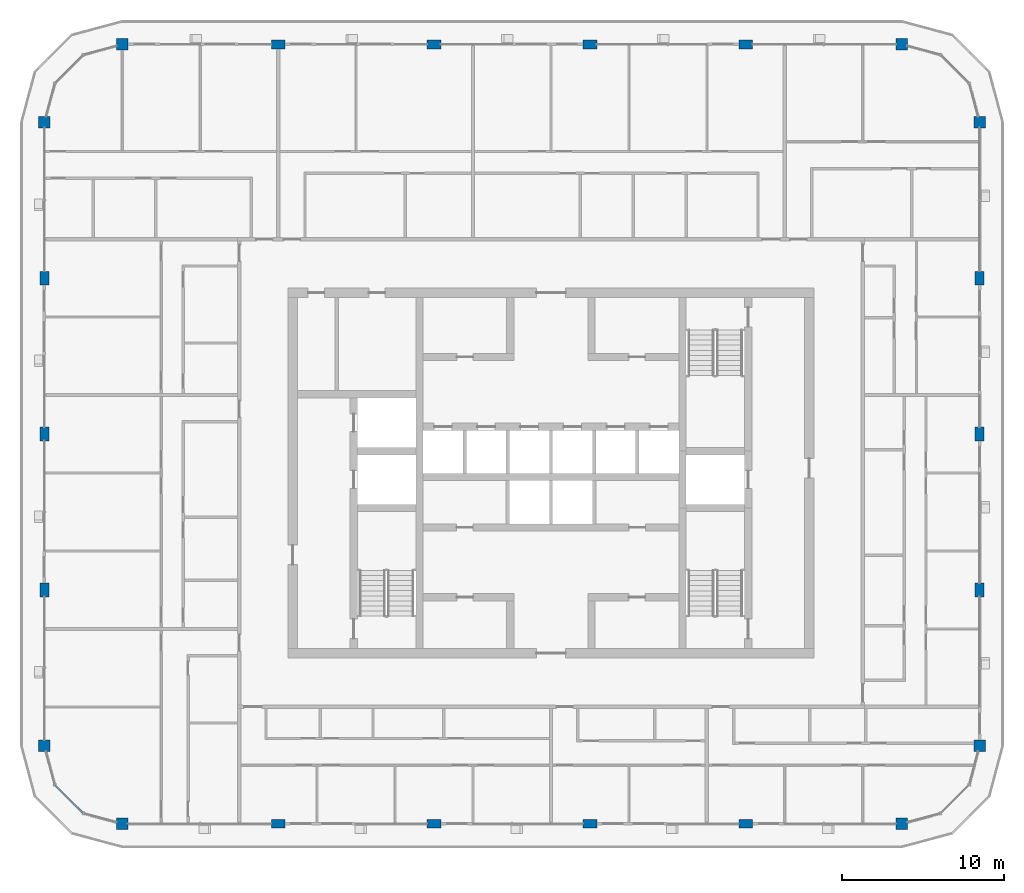
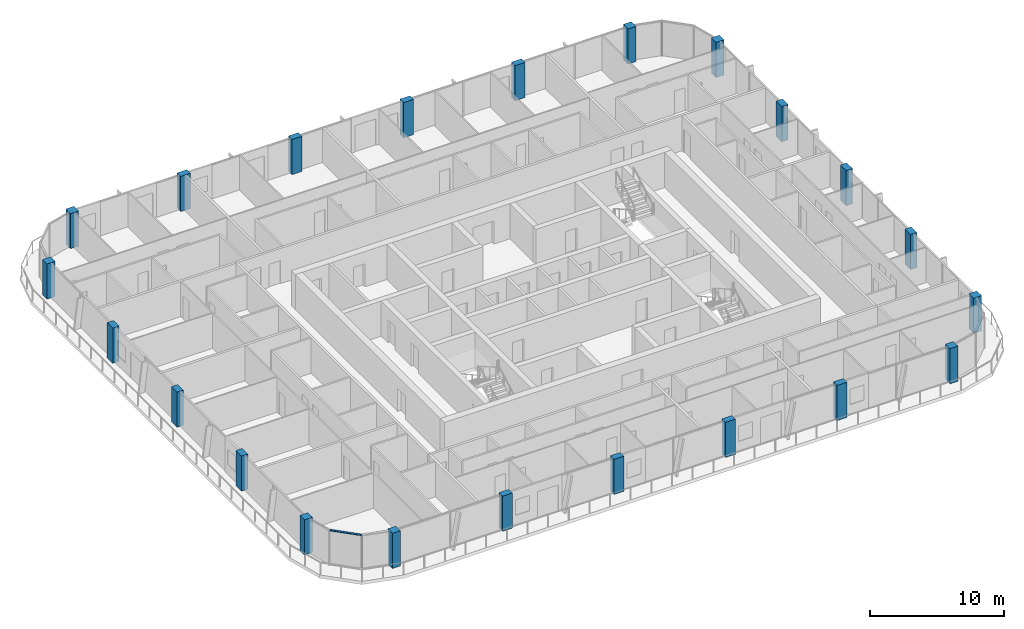
# One storey, part 1 of 21: 22 columns, 1 member, 1 element without a shape of its own.
"""IFC4 building model written with IfcOpenShell, lengths in metres."""

import ifcopenshell
import ifcopenshell.guid

model = None  # the IFC model being written
_history = None  # IfcOwnerHistory: only IFC2X3 demands one
_inside = {}  # id of a spatial element -> (the spatial element, [elements in it])
_under = {}  # id of a project, library or spatial element -> (it, [spatial elements below it])
_declared = {}  # id of a project -> (the project, [libraries it declares])
_typed = {}  # id of a type object -> (the type object, [elements of that type])
_made_of = {}  # id of a material, layer set ... -> (it, [elements and type objects made of it])


def new_model(schema):
    """Start an empty IFC model of exactly this schema.

    Asked for "IFC4X3", IfcOpenShell would pick the latest addendum, in which some entities
    have other attributes; the version numbers below select the first issue.
    IFC2X3 requires an IfcOwnerHistory on every rooted entity: one is made here for all.
    """
    global model, _history
    if schema == "IFC4X3":
        model = ifcopenshell.file(schema_version=(4, 3, 0, 0))
    else:
        model = ifcopenshell.file(schema=schema)
    _inside.clear()
    _under.clear()
    _declared.clear()
    _typed.clear()
    _made_of.clear()
    _history = None
    if model.schema == "IFC2X3":
        org = make("IfcOrganization", Name="unknown")
        user = make(
            "IfcPersonAndOrganization",
            ThePerson=make("IfcPerson", FamilyName="unknown"),
            TheOrganization=org,
        )
        app = make(
            "IfcApplication",
            ApplicationDeveloper=org,
            Version="unknown",
            ApplicationFullName="unknown",
            ApplicationIdentifier="unknown",
        )
        _history = make(
            "IfcOwnerHistory",
            OwningUser=user,
            OwningApplication=app,
            ChangeAction="ADDED",
            CreationDate=0,
        )
    return model


def make(cls, **values):
    """One entity of the class cls with the attributes given. An attribute that is None is left unset."""
    return model.create_entity(
        cls, **{name: value for name, value in values.items() if value is not None}
    )


def rooted(cls, **values):
    """An entity with a GlobalId (a new one), such as an element, a storey or a relation."""
    return make(cls, GlobalId=ifcopenshell.guid.new(), OwnerHistory=_history, **values)


def si_unit(unit_type, name, prefix=None):
    """IfcSIUnit, for example si_unit("LENGTHUNIT", "METRE", prefix="MILLI")."""
    return make("IfcSIUnit", UnitType=unit_type, Prefix=prefix, Name=name)


def assignment(units):
    """IfcUnitAssignment: the units of a project."""
    return None if units is None else make("IfcUnitAssignment", Units=units)


def point(xyz):
    """IfcCartesianPoint."""
    return None if xyz is None else make("IfcCartesianPoint", Coordinates=xyz)


def direction(xyz):
    """IfcDirection."""
    return None if xyz is None else make("IfcDirection", DirectionRatios=xyz)


def frame(location, z_axis=None, x_axis=None):
    """IfcAxis2Placement3D, a coordinate frame: its origin and axes. An axis left out is left unset."""
    return make(
        "IfcAxis2Placement3D",
        Location=point(location),
        Axis=direction(z_axis),
        RefDirection=direction(x_axis),
    )


def frame_2d(location, x_axis=None):
    """IfcAxis2Placement2D, a coordinate frame in the plane: its origin and x axis."""
    return make(
        "IfcAxis2Placement2D", Location=point(location), RefDirection=direction(x_axis)
    )


def origin():
    """The frame at (0, 0, 0) with its axes left unset."""
    return frame((0.0, 0.0, 0.0))


def origin_2d():
    """The frame at (0, 0) in the plane with its x axis left unset."""
    return frame_2d((0.0, 0.0))


def place(relative_to, where):
    """IfcLocalPlacement: puts the frame where relative to a parent placement (None: the world)."""
    return make(
        "IfcLocalPlacement", PlacementRelTo=relative_to, RelativePlacement=where
    )


def context(
    kind, dimensions, precision=None, world=None, true_north=None, identifier=None
):
    """IfcGeometricRepresentationContext, for example the 3D "Model" context."""
    return make(
        "IfcGeometricRepresentationContext",
        ContextIdentifier=identifier,
        ContextType=kind,
        CoordinateSpaceDimension=dimensions,
        Precision=precision,
        WorldCoordinateSystem=world,
        TrueNorth=true_north,
    )


def subcontext(parent, identifier, kind, view, scale=None):
    """IfcGeometricRepresentationSubContext, for example "Body" below "Model"."""
    return make(
        "IfcGeometricRepresentationSubContext",
        ContextIdentifier=identifier,
        ContextType=kind,
        ParentContext=parent,
        TargetScale=scale,
        TargetView=view,
    )


def project(units=None, contexts=None):
    """IfcProject with its units and contexts."""
    return rooted(
        "IfcProject",
        Name="project",
        RepresentationContexts=contexts,
        UnitsInContext=assignment(units),
    )


def spatial(cls, under=None, at=None, **own):
    """A site, building, storey or space (cls), placed at a placement, below another one or the project."""
    s = rooted(cls, ObjectPlacement=at, **own)
    if under is not None:
        _under.setdefault(under.id(), (under, []))[1].append(s)
    return s


def profile(cls, at=None, kind="AREA", **sizes):
    """A parametric profile (cls). Its sizes go by their IFC names, for example OverallWidth=200.0."""
    return make(cls, ProfileType=kind, Position=at, **sizes)


def rectangle(**sizes):
    """IfcRectangleProfileDef."""
    return profile("IfcRectangleProfileDef", **sizes)


def extrude(swept, where, along, depth):
    """IfcExtrudedAreaSolid: the profile swept, set in the frame where, extruded along a direction by depth."""
    return make(
        "IfcExtrudedAreaSolid",
        SweptArea=swept,
        Position=where,
        ExtrudedDirection=direction(along),
        Depth=depth,
    )


def shape(context_of_items, identifier, shape_type, items):
    """IfcShapeRepresentation: the items that make up one representation, for example the "Body"."""
    return make(
        "IfcShapeRepresentation",
        ContextOfItems=context_of_items,
        RepresentationIdentifier=identifier,
        RepresentationType=shape_type,
        Items=items,
    )


def material(Name=None, Category=None):
    """IfcMaterial."""
    return make("IfcMaterial", Name=Name, Category=Category)


def layer(
    of_material, thickness, ventilated=None, Name=None, Category=None, Priority=None
):
    """IfcMaterialLayer: one layer of a wall or slab, of a material (None: an air gap)."""
    return make(
        "IfcMaterialLayer",
        Material=of_material,
        LayerThickness=thickness,
        IsVentilated=ventilated,
        Name=Name,
        Category=Category,
        Priority=Priority,
    )


def layer_set(layers, Name=None):
    """IfcMaterialLayerSet."""
    return make("IfcMaterialLayerSet", MaterialLayers=layers, LayerSetName=Name)


def material_profile(
    of_material, cross_section, Name=None, Category=None, Priority=None
):
    """IfcMaterialProfile: a cross section and its material."""
    return make(
        "IfcMaterialProfile",
        Name=Name,
        Material=of_material,
        Profile=cross_section,
        Priority=Priority,
        Category=Category,
    )


def profile_set(profiles, Name=None, composite=None):
    """IfcMaterialProfileSet."""
    return make(
        "IfcMaterialProfileSet",
        Name=Name,
        MaterialProfiles=profiles,
        CompositeProfile=composite,
    )


def made_of(thing, what):
    """Note that an element or type object is made of a material, layer set ...; save() writes the relation."""
    if what is not None:
        _made_of.setdefault(what.id(), (what, []))[1].append(thing)
    return thing


def type_object(cls, material=None, **own):
    """A type object (cls), such as IfcWallType, which elements share."""
    return made_of(rooted(cls, **own), material)


def element(
    cls,
    number,
    at=None,
    inside=None,
    cuts=None,
    type_object=None,
    material=None,
    context=None,
    identifier="Body",
    shape_type=None,
    held_by="IfcProductDefinitionShape",
    body=None,
    shapes=None,
    **own,
):
    """One element of the class cls, such as IfcWall. Its Tag is "e" and its number.

    at: its placement. inside: the storey or other place that contains it. cuts: it is an
    opening in that element (IfcRelVoidsElement). A single representation is given by context,
    identifier, shape_type and body (its items); several are given by shapes. held_by: the class
    of the entity that holds the representations. save() writes the other relations.
    """
    e = rooted(cls, Tag="e%d" % number, ObjectPlacement=at, **own)
    if body is not None:
        shapes = [shape(context, identifier, shape_type, body)]
    if shapes is not None:
        e.Representation = make(held_by, Representations=shapes)
    if inside is not None:
        _inside.setdefault(inside.id(), (inside, []))[1].append(e)
    if cuts is not None:
        rooted(
            "IfcRelVoidsElement", RelatingBuildingElement=cuts, RelatedOpeningElement=e
        )
    if type_object is not None:
        _typed.setdefault(type_object.id(), (type_object, []))[1].append(e)
    return made_of(e, material)


def aggregate(whole, parts):
    """IfcRelAggregates: a whole, such as a stair, and the parts it consists of."""
    return rooted("IfcRelAggregates", RelatingObject=whole, RelatedObjects=parts)


def save(model, path):
    """Write the relations noted so far, then the file.

    IfcRelAggregates (storeys below a building ...), IfcRelContainedInSpatialStructure (elements
    in a storey), IfcRelDefinesByType, IfcRelAssociatesMaterial and IfcRelDeclares: one each for
    every whole, place, type object, material and project.
    """
    for whole, parts in _under.values():
        aggregate(whole, parts)
    for where, things in _inside.values():
        rooted(
            "IfcRelContainedInSpatialStructure",
            RelatedElements=things,
            RelatingStructure=where,
        )
    for kind, things in _typed.values():
        rooted("IfcRelDefinesByType", RelatedObjects=things, RelatingType=kind)
    for what, things in _made_of.values():
        rooted("IfcRelAssociatesMaterial", RelatedObjects=things, RelatingMaterial=what)
    for by, libraries in _declared.values():
        rooted("IfcRelDeclares", RelatingContext=by, RelatedDefinitions=libraries)
    model.write(path)


model = new_model("IFC4")

# Units and contexts
model_context = context("Model", 3, precision=1e-05, world=origin(), true_north=direction((0.0, 1.0)))
body_context = subcontext(model_context, "Body", "Model", "MODEL_VIEW")
ifc_project = project(units=[si_unit("LENGTHUNIT", "METRE"), si_unit("AREAUNIT", "SQUARE_METRE"), si_unit("VOLUMEUNIT", "CUBIC_METRE"), si_unit("PLANEANGLEUNIT", "RADIAN"), si_unit("MASSUNIT", "GRAM", prefix="KILO")], contexts=[model_context])

# Site, building, storey
site_placement = place(None, origin())
site = spatial("IfcSite", under=ifc_project, at=site_placement, CompositionType="ELEMENT")
building_placement = place(site_placement, origin())
building = spatial("IfcBuilding", under=site, at=building_placement, Name="Madar Terraces", CompositionType="ELEMENT")
storey_placement = place(building_placement, frame((0.0, 0.0, 242.199951171875)))
storey = spatial("IfcBuildingStorey", under=building, at=storey_placement, Name="L63", CompositionType="ELEMENT", Elevation=242.199951171875)

# Columns
ifc_material_1 = material(Name="Concrete C55/67", Category="concrete")
ifc_material_profile_1 = material_profile(ifc_material_1, rectangle(XDim=0.85009765625, YDim=0.550048828125, at=origin_2d()), Name="CC5 RC 850x550")
ifc_profile_set_1 = profile_set([ifc_material_profile_1], Name="Concrete C55/67")
column_type_1 = type_object("IfcColumnType", Name="CC5 RC 850x550", PredefinedType="COLUMN", material=ifc_profile_set_1)
for number, where, z_axis, x_axis, name in (
    (1, (14.39990234375, 4.800048828125, 0.0), (0.0, 0.0, 1.0), (1.0, 0.0, 0.0), "Perimeter column S2"),
    (2, (24.0, 4.800048828125, 0.0), (0.0, 0.0, 1.0), (1.0, 0.0, 0.0), "Perimeter column S3"),
    (3, (33.60009765625, 4.800048828125, 0.0), (0.0, 0.0, 1.0), (1.0, 0.0, 0.0), "Perimeter column S4"),
    (4, (43.199951171875, 4.800048828125, 0.0), (0.0, 0.0, 1.0), (1.0, 0.0, 0.0), "Perimeter column S5"),
    (5, (57.60009765625, 19.199951171875, 0.0), (0.0, 0.0, 1.0), (0.0, 1.0, 0.0), "Perimeter column E2"),
    (6, (57.60009765625, 28.800048828125, 0.0), (0.0, 0.0, 1.0), (0.0, 1.0, 0.0), "Perimeter column E3"),
    (7, (57.60009765625, 38.39990234375, 0.0), (0.0, 0.0, 1.0), (0.0, 1.0, 0.0), "Perimeter column E4"),
    (8, (43.199951171875, 52.800048828125, 0.0), (0.0, 0.0, 1.0), (1.0, 0.0, 0.0), "Perimeter column N2"),
    (9, (33.60009765625, 52.800048828125, 0.0), (0.0, 0.0, 1.0), (1.0, 0.0, 0.0), "Perimeter column N3"),
    (10, (24.0, 52.800048828125, 0.0), (0.0, 0.0, 1.0), (1.0, 0.0, 0.0), "Perimeter column N4"),
    (11, (14.39990234375, 52.800048828125, 0.0), (0.0, 0.0, 1.0), (1.0, 0.0, 0.0), "Perimeter column N5"),
    (12, (0.0, 38.39990234375, 0.0), (0.0, 0.0, 1.0), (0.0, 1.0, 0.0), "Perimeter column W2"),
    (13, (0.0, 28.800048828125, 0.0), (0.0, 0.0, 1.0), (0.0, 1.0, 0.0), "Perimeter column W3"),
    (14, (0.0, 19.199951171875, 0.0), (0.0, 0.0, 1.0), (0.0, 1.0, 0.0), "Perimeter column W4"),
):
    element("IfcColumn", number, at=place(storey_placement, frame(where, z_axis=z_axis, x_axis=x_axis)), inside=storey, type_object=column_type_1, Name=name, PredefinedType="COLUMN", context=body_context, shape_type="SweptSolid", body=[
        extrude(rectangle(XDim=0.85009765625, YDim=0.550048828125, at=origin_2d()), origin(), (0.0, 0.0, 1.0), 3.199951171875),
    ])
ifc_material_2 = material(Name="Concrete C55/67", Category="concrete")
ifc_material_profile_2 = material_profile(ifc_material_2, rectangle(XDim=0.699951171875, YDim=0.699951171875, at=origin_2d()), Name="KC5 RC 700x700")
ifc_profile_set_2 = profile_set([ifc_material_profile_2], Name="Concrete C55/67")
column_type_2 = type_object("IfcColumnType", Name="KC5 RC 700x700", PredefinedType="COLUMN", material=ifc_profile_set_2)
for number, where, z_axis, x_axis, name in (
    (15, (4.800048828125, 4.800048828125, 0.0), (0.0, 0.0, 1.0), (1.0, 0.0, 0.0), "Perimeter column S1"),
    (16, (52.800048828125, 4.800048828125, 0.0), (0.0, 0.0, 1.0), (1.0, 0.0, 0.0), "Perimeter column S6"),
    (17, (57.60009765625, 9.60009765625, 0.0), (0.0, 0.0, 1.0), (1.0, 0.0, 0.0), "Perimeter column E1"),
    (18, (57.60009765625, 48.0, 0.0), (0.0, 0.0, 1.0), (1.0, 0.0, 0.0), "Perimeter column E5"),
    (19, (52.800048828125, 52.800048828125, 0.0), (0.0, 0.0, 1.0), (1.0, 0.0, 0.0), "Perimeter column N1"),
    (20, (4.800048828125, 52.800048828125, 0.0), (0.0, 0.0, 1.0), (1.0, 0.0, 0.0), "Perimeter column N6"),
    (21, (0.0, 48.0, 0.0), (0.0, 0.0, 1.0), (1.0, 0.0, 0.0), "Perimeter column W1"),
    (22, (0.0, 9.60009765625, 0.0), (0.0, 0.0, 1.0), (1.0, 0.0, 0.0), "Perimeter column W5"),
):
    element("IfcColumn", number, at=place(storey_placement, frame(where, z_axis=z_axis, x_axis=x_axis)), inside=storey, type_object=column_type_2, Name=name, PredefinedType="COLUMN", context=body_context, shape_type="SweptSolid", body=[
        extrude(rectangle(XDim=0.699951171875, YDim=0.699951171875, at=origin_2d()), origin(), (0.0, 0.0, 1.0), 3.199951171875),
    ])

# Curtain wall, member
ifc_material_3 = material(Name="Glass, ceramic frit dark grey, with black aluminium frame", Category="aluminium")
ifc_layer = layer(ifc_material_3, 0.199951171875)
ifc_layer_set = layer_set([ifc_layer], Name="Facade curtain wall, fritted glass")
curtain_wall_type = type_object("IfcCurtainWallType", Name="Facade curtain wall, fritted glass", PredefinedType="NOTDEFINED", material=ifc_layer_set)
curtain_wall_placement = place(storey_placement, origin())
curtain_wall = element("IfcCurtainWall", 23, at=curtain_wall_placement, inside=storey, type_object=curtain_wall_type, Name="Outer skin curtain wall south-west corner", PredefinedType="NOTDEFINED")
ifc_material_4 = material(Name="Aluminium, black anodised", Category="aluminium")
ifc_material_profile_3 = material_profile(ifc_material_4, rectangle(XDim=0.1201171875, YDim=0.06005859375, at=origin_2d()), Name="Facade transom 60x120")
ifc_profile_set_3 = profile_set([ifc_material_profile_3], Name="Aluminium, black anodised")
member_type = type_object("IfcMemberType", Name="Facade transom 60x120", PredefinedType="USERDEFINED", material=ifc_profile_set_3)
member_placement = place(storey_placement, frame((0.664306640625, 7.1787109375, 3.170166015625), z_axis=(0.707157125196, -0.707056433593, 0.0), x_axis=(0.707056433593, 0.707157125196, 0.0)))
member = element("IfcMember", 24, at=member_placement, type_object=member_type, Name="Transom 2", ObjectType="TRANSOM", PredefinedType="USERDEFINED", context=body_context, shape_type="SweptSolid", body=[
    extrude(rectangle(XDim=0.1201171875, YDim=0.06005859375, at=origin_2d()), origin(), (0.0, 0.0, 1.0), 2.424560546875),
])
aggregate(curtain_wall, [member])

save(model, "model.ifc")
